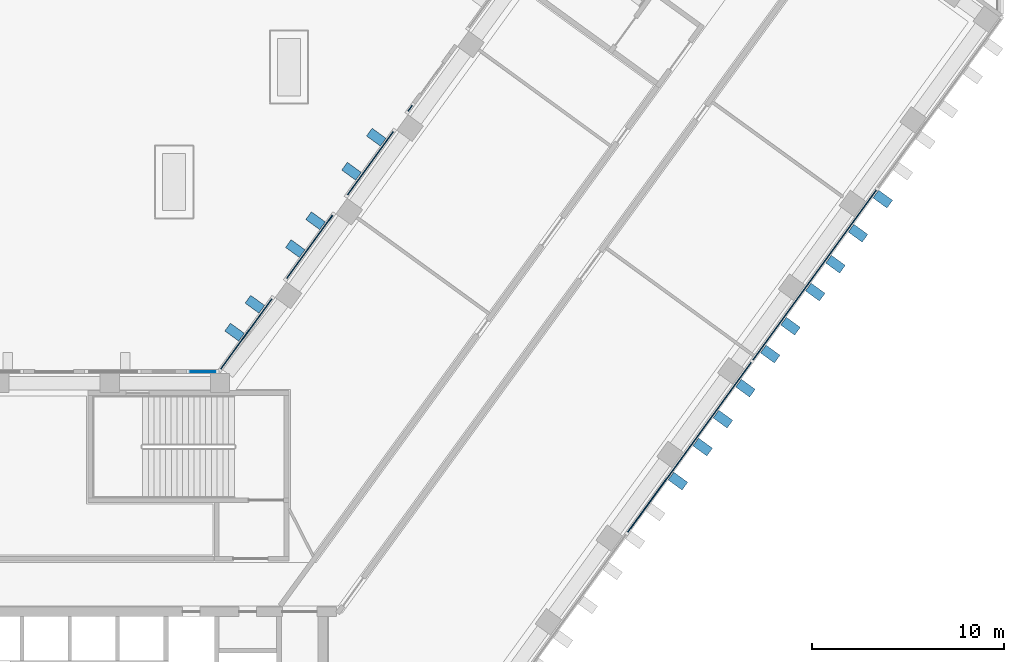
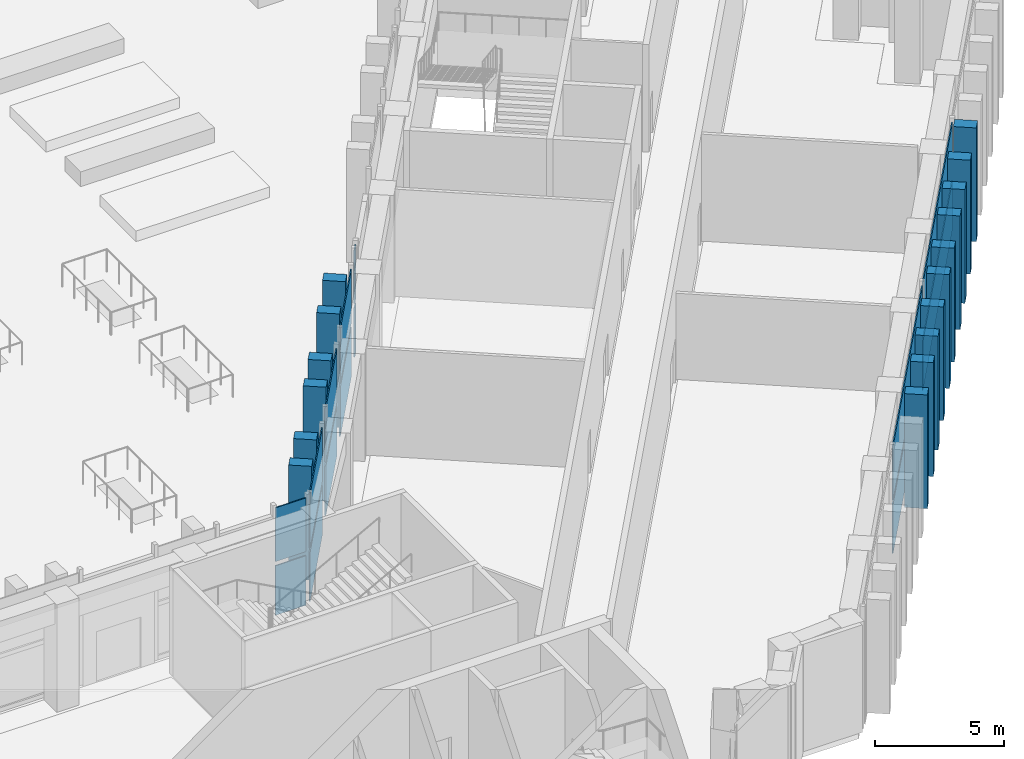
# One storey, part 12 of 25: 30 plates, 6 elements without a shape of their own.
"""IFC4 building model written with IfcOpenShell, lengths in metres."""

from ifc_helpers import new_model, si_unit, direction, frame, origin, origin_2d, place, context, subcontext, project, spatial, rectangle, extrude, material, layer, layer_set, type_object, element, aggregate, save


model = new_model("IFC4")

# Units and contexts
model_context = context("Model", 3, precision=1e-05, world=origin(), true_north=direction((0.0, 1.0)))
body_context = subcontext(model_context, "Body", "Model", "MODEL_VIEW")
ifc_project = project(units=[si_unit("LENGTHUNIT", "METRE"), si_unit("AREAUNIT", "SQUARE_METRE"), si_unit("VOLUMEUNIT", "CUBIC_METRE"), si_unit("PLANEANGLEUNIT", "RADIAN"), si_unit("MASSUNIT", "GRAM", prefix="KILO")], contexts=[model_context])

# Site, building, storey
site_placement = place(None, origin())
site = spatial("IfcSite", under=ifc_project, at=site_placement, CompositionType="ELEMENT")
building_placement = place(site_placement, origin())
building = spatial("IfcBuilding", under=site, at=building_placement, Name="Quipu Civic Tower", CompositionType="ELEMENT")
storey_placement = place(building_placement, frame((0.0, 0.0, 6.0)))
storey = spatial("IfcBuildingStorey", under=building, at=storey_placement, Name="L01", CompositionType="ELEMENT", Elevation=6.0)

# Curtain wall, plates
ifc_material_1 = material(Name="Insulated glass unit", Category="glass")
curtain_wall_type = type_object("IfcCurtainWallType", Name="Council chamber curtain wall CW4", PredefinedType="NOTDEFINED", material=ifc_material_1)
curtain_wall_1_placement = place(storey_placement, origin())
curtain_wall_1 = element("IfcCurtainWall", 1, at=curtain_wall_1_placement, inside=storey, type_object=curtain_wall_type, Name="Council chamber curtain wall CW4 L01 run 34", PredefinedType="NOTDEFINED")
ifc_material_2 = material(Name="Insulated glass unit", Category="glass")
ifc_layer = layer(ifc_material_2, 0.048095703125)
ifc_layer_set = layer_set([ifc_layer], Name="Insulated glass unit")
plate_type_1 = type_object("IfcPlateType", Name="Glass panel CW4", PredefinedType="CURTAIN_PANEL", material=ifc_layer_set)
plate_1_placement = place(storey_placement, frame((38.911376953125, 7.14501953125, 0.300048828125), z_axis=(0.0, 0.0, 1.0), x_axis=(0.587785356329, 0.809016918788, 0.0)))
plate_1 = element("IfcPlate", 2, at=plate_1_placement, type_object=plate_type_1, Name="CW4 panel 2.1", PredefinedType="CURTAIN_PANEL", context=body_context, shape_type="SweptSolid", body=[
    extrude(rectangle(XDim=10.96142578125, YDim=0.048095703125, at=origin_2d()), origin(), (0.0, 0.0, 1.0), 2.35009765625),
])
plate_2_placement = place(storey_placement, frame((38.911376953125, 7.14501953125, 2.85009765625), z_axis=(0.0, 0.0, 1.0), x_axis=(0.587785356329, 0.809016918788, 0.0)))
plate_2 = element("IfcPlate", 3, at=plate_2_placement, type_object=plate_type_1, Name="CW4 panel 2.2", PredefinedType="CURTAIN_PANEL", context=body_context, shape_type="SweptSolid", body=[
    extrude(rectangle(XDim=10.96142578125, YDim=0.048095703125, at=origin_2d()), origin(), (0.0, 0.0, 1.0), 2.550048828125),
])
plate_3_placement = place(storey_placement, frame((45.448486328125, 16.142333984375, 0.300048828125), z_axis=(0.0, 0.0, 1.0), x_axis=(0.587785356329, 0.809016918788, 0.0)))
plate_3 = element("IfcPlate", 4, at=plate_3_placement, type_object=plate_type_1, Name="CW4 panel 3.1", PredefinedType="CURTAIN_PANEL", context=body_context, shape_type="SweptSolid", body=[
    extrude(rectangle(XDim=10.96142578125, YDim=0.048095703125, at=origin_2d()), origin(), (0.0, 0.0, 1.0), 2.35009765625),
])
plate_4_placement = place(storey_placement, frame((45.448486328125, 16.142333984375, 2.85009765625), z_axis=(0.0, 0.0, 1.0), x_axis=(0.587785356329, 0.809016918788, 0.0)))
plate_4 = element("IfcPlate", 5, at=plate_4_placement, type_object=plate_type_1, Name="CW4 panel 3.2", PredefinedType="CURTAIN_PANEL", context=body_context, shape_type="SweptSolid", body=[
    extrude(rectangle(XDim=10.96142578125, YDim=0.048095703125, at=origin_2d()), origin(), (0.0, 0.0, 1.0), 2.550048828125),
])
aggregate(curtain_wall_1, [plate_1, plate_2, plate_3, plate_4])

curtain_wall_2_placement = place(storey_placement, origin())
curtain_wall_2 = element("IfcCurtainWall", 6, at=curtain_wall_2_placement, inside=storey, type_object=curtain_wall_type, Name="Council chamber curtain wall CW4 L01 run 50", PredefinedType="NOTDEFINED")
plate_5_placement = place(storey_placement, frame((24.327880859375, 24.84130859375, 0.300048828125), z_axis=(0.0, 0.0, 1.0), x_axis=(-0.587791263278, -0.809012627105, 0.0)))
plate_5 = element("IfcPlate", 7, at=plate_5_placement, type_object=plate_type_1, Name="CW4 panel 1.1", PredefinedType="CURTAIN_PANEL", context=body_context, shape_type="SweptSolid", body=[
    extrude(rectangle(XDim=0.352294921875, YDim=0.048095703125, at=origin_2d()), origin(), (0.0, 0.0, 1.0), 2.35009765625),
])
plate_6_placement = place(storey_placement, frame((24.327880859375, 24.84130859375, 2.85009765625), z_axis=(0.0, 0.0, 1.0), x_axis=(-0.587791263278, -0.809012627105, 0.0)))
plate_6 = element("IfcPlate", 8, at=plate_6_placement, type_object=plate_type_1, Name="CW4 panel 1.2", PredefinedType="CURTAIN_PANEL", context=body_context, shape_type="SweptSolid", body=[
    extrude(rectangle(XDim=0.352294921875, YDim=0.048095703125, at=origin_2d()), origin(), (0.0, 0.0, 1.0), 2.550048828125),
])
aggregate(curtain_wall_2, [plate_5, plate_6])

curtain_wall_3_placement = place(storey_placement, origin())
curtain_wall_3 = element("IfcCurtainWall", 9, at=curtain_wall_3_placement, inside=storey, type_object=curtain_wall_type, Name="Council chamber curtain wall CW4 L01 run 51", PredefinedType="NOTDEFINED")
plate_7_placement = place(storey_placement, frame((22.24951171875, 21.98046875, 0.300048828125), z_axis=(0.0, 0.0, 1.0), x_axis=(-0.587774328321, -0.809024930992, 0.0)))
plate_7 = element("IfcPlate", 10, at=plate_7_placement, type_object=plate_type_1, Name="CW4 panel 1.1", PredefinedType="CURTAIN_PANEL", context=body_context, shape_type="SweptSolid", body=[
    extrude(rectangle(XDim=4.080078125, YDim=0.048095703125, at=origin_2d()), origin(), (0.0, 0.0, 1.0), 2.35009765625),
])
plate_8_placement = place(storey_placement, frame((22.24951171875, 21.98046875, 2.85009765625), z_axis=(0.0, 0.0, 1.0), x_axis=(-0.587774328321, -0.809024930992, 0.0)))
plate_8 = element("IfcPlate", 11, at=plate_8_placement, type_object=plate_type_1, Name="CW4 panel 1.2", PredefinedType="CURTAIN_PANEL", context=body_context, shape_type="SweptSolid", body=[
    extrude(rectangle(XDim=4.080078125, YDim=0.048095703125, at=origin_2d()), origin(), (0.0, 0.0, 1.0), 2.550048828125),
])
aggregate(curtain_wall_3, [plate_7, plate_8])

curtain_wall_4_placement = place(storey_placement, origin())
curtain_wall_4 = element("IfcCurtainWall", 12, at=curtain_wall_4_placement, inside=storey, type_object=curtain_wall_type, Name="Council chamber curtain wall CW4 L01 run 52", PredefinedType="NOTDEFINED")
plate_9_placement = place(storey_placement, frame((19.075439453125, 17.61181640625, 0.300048828125), z_axis=(0.0, 0.0, 1.0), x_axis=(-0.587800011079, -0.809006271283, 0.0)))
plate_9 = element("IfcPlate", 13, at=plate_9_placement, type_object=plate_type_1, Name="CW4 panel 1.1", PredefinedType="CURTAIN_PANEL", context=body_context, shape_type="SweptSolid", body=[
    extrude(rectangle(XDim=4.080078125, YDim=0.048095703125, at=origin_2d()), origin(), (0.0, 0.0, 1.0), 2.35009765625),
])
plate_10_placement = place(storey_placement, frame((19.075439453125, 17.61181640625, 2.85009765625), z_axis=(0.0, 0.0, 1.0), x_axis=(-0.587800011079, -0.809006271283, 0.0)))
plate_10 = element("IfcPlate", 14, at=plate_10_placement, type_object=plate_type_1, Name="CW4 panel 1.2", PredefinedType="CURTAIN_PANEL", context=body_context, shape_type="SweptSolid", body=[
    extrude(rectangle(XDim=4.080078125, YDim=0.048095703125, at=origin_2d()), origin(), (0.0, 0.0, 1.0), 2.550048828125),
])
aggregate(curtain_wall_4, [plate_9, plate_10])

curtain_wall_5_placement = place(storey_placement, origin())
curtain_wall_5 = element("IfcCurtainWall", 15, at=curtain_wall_5_placement, inside=storey, type_object=curtain_wall_type, Name="Council chamber curtain wall CW4 L01 run 53", PredefinedType="NOTDEFINED")
plate_11_placement = place(storey_placement, frame((15.769287109375, 13.0615234375, 0.300048828125), z_axis=(0.0, 0.0, 1.0), x_axis=(-0.587795194797, -0.809009770629, 0.0)))
plate_11 = element("IfcPlate", 16, at=plate_11_placement, type_object=plate_type_1, Name="CW4 panel 1.1", PredefinedType="CURTAIN_PANEL", context=body_context, shape_type="SweptSolid", body=[
    extrude(rectangle(XDim=4.529052734375, YDim=0.048095703125, at=origin_2d()), origin(), (0.0, 0.0, 1.0), 2.35009765625),
])
plate_12_placement = place(storey_placement, frame((15.769287109375, 13.0615234375, 2.85009765625), z_axis=(0.0, 0.0, 1.0), x_axis=(-0.587795194797, -0.809009770629, 0.0)))
plate_12 = element("IfcPlate", 17, at=plate_12_placement, type_object=plate_type_1, Name="CW4 panel 1.2", PredefinedType="CURTAIN_PANEL", context=body_context, shape_type="SweptSolid", body=[
    extrude(rectangle(XDim=4.529052734375, YDim=0.048095703125, at=origin_2d()), origin(), (0.0, 0.0, 1.0), 2.550048828125),
])
aggregate(curtain_wall_5, [plate_11, plate_12])

curtain_wall_6_placement = place(storey_placement, origin())
curtain_wall_6 = element("IfcCurtainWall", 18, at=curtain_wall_6_placement, inside=storey, type_object=curtain_wall_type, Name="Council chamber curtain wall CW4 L01 run 54", PredefinedType="NOTDEFINED")
plate_13_placement = place(storey_placement, frame((13.49951171875, 11.10009765625, 0.300048828125), z_axis=(0.0, 0.0, 1.0), x_axis=(-1.0, 0.0, 0.0)))
plate_13 = element("IfcPlate", 19, at=plate_13_placement, type_object=plate_type_1, Name="CW4 panel 1.1", PredefinedType="CURTAIN_PANEL", context=body_context, shape_type="SweptSolid", body=[
    extrude(rectangle(XDim=1.369140625, YDim=0.048095703125, at=origin_2d()), origin(), (0.0, 0.0, 1.0), 2.35009765625),
])
plate_14_placement = place(storey_placement, frame((13.49951171875, 11.10009765625, 2.85009765625), z_axis=(0.0, 0.0, 1.0), x_axis=(-1.0, 0.0, 0.0)))
plate_14 = element("IfcPlate", 20, at=plate_14_placement, type_object=plate_type_1, Name="CW4 panel 1.2", PredefinedType="CURTAIN_PANEL", context=body_context, shape_type="SweptSolid", body=[
    extrude(rectangle(XDim=1.369140625, YDim=0.048095703125, at=origin_2d()), origin(), (0.0, 0.0, 1.0), 2.550048828125),
])
aggregate(curtain_wall_6, [plate_13, plate_14])

# Plates
ifc_material_3 = material(Name="Precast concrete C40/50", Category="concrete")
plate_type_2 = type_object("IfcPlateType", Name="Precast fin F0", PredefinedType="SHEET", material=ifc_material_3)
for number, where, z_axis, x_axis, name in (
    (21, (38.308349609375, 5.37939453125, 0.10009765625), (0.0, 0.0, 1.0), (0.587785716149, 0.809016657363, 0.0), "Precast fin F0 L01.34.8"),
    (22, (39.6015625, 7.1591796875, 0.10009765625), (0.0, 0.0, 1.0), (0.587785716149, 0.809016657363, 0.0), "Precast fin F0 L01.34.9"),
    (23, (40.65966796875, 8.615234375, 0.10009765625), (0.0, 0.0, 1.0), (0.587785716149, 0.809016657363, 0.0), "Precast fin F0 L01.34.10"),
    (24, (41.835205078125, 10.2333984375, 0.10009765625), (0.0, 0.0, 1.0), (0.587785716149, 0.809016657363, 0.0), "Precast fin F0 L01.34.11"),
    (25, (43.12841796875, 12.01318359375, 0.10009765625), (0.0, 0.0, 1.0), (0.587785716149, 0.809016657363, 0.0), "Precast fin F0 L01.34.12"),
    (26, (44.186279296875, 13.469482421875, 0.10009765625), (0.0, 0.0, 1.0), (0.587785716149, 0.809016657363, 0.0), "Precast fin F0 L01.34.13"),
    (27, (45.4794921875, 15.249267578125, 0.10009765625), (0.0, 0.0, 1.0), (0.587785716149, 0.809016657363, 0.0), "Precast fin F0 L01.34.14"),
    (28, (46.537353515625, 16.70556640625, 0.10009765625), (0.0, 0.0, 1.0), (0.587785716149, 0.809016657363, 0.0), "Precast fin F0 L01.34.15"),
    (29, (47.713134765625, 18.323486328125, 0.10009765625), (0.0, 0.0, 1.0), (0.587785716149, 0.809016657363, 0.0), "Precast fin F0 L01.34.16"),
    (30, (49.006103515625, 20.103271484375, 0.10009765625), (0.0, 0.0, 1.0), (0.587785716149, 0.809016657363, 0.0), "Precast fin F0 L01.34.17"),
    (31, (22.556396484375, 23.3388671875, 0.10009765625), (0.0, 0.0, 1.0), (-0.587784944053, -0.809017218324, 0.0), "Precast fin F0 L01.51.1"),
    (32, (21.263427734375, 21.55908203125, 0.10009765625), (0.0, 0.0, 1.0), (-0.587784944053, -0.809017218324, 0.0), "Precast fin F0 L01.51.2"),
    (33, (19.386474609375, 18.9755859375, 0.10009765625), (0.0, 0.0, 1.0), (-0.587784944053, -0.809017218324, 0.0), "Precast fin F0 L01.52.1"),
    (34, (18.328369140625, 17.51953125, 0.10009765625), (0.0, 0.0, 1.0), (-0.587784944053, -0.809017218324, 0.0), "Precast fin F0 L01.52.2"),
    (35, (16.21630859375, 14.612548828125, 0.10009765625), (0.0, 0.0, 1.0), (-0.587784944053, -0.809017218324, 0.0), "Precast fin F0 L01.53.1"),
    (36, (15.158447265625, 13.15625, 0.10009765625), (0.0, 0.0, 1.0), (-0.587784944053, -0.809017218324, 0.0), "Precast fin F0 L01.53.2"),
):
    element("IfcPlate", number, at=place(storey_placement, frame(where, z_axis=z_axis, x_axis=x_axis)), inside=storey, type_object=plate_type_2, Name=name, PredefinedType="SHEET", context=body_context, shape_type="SweptSolid", body=[
        extrude(rectangle(XDim=0.5, YDim=0.89990234375, at=origin_2d()), origin(), (0.0, 0.0, 1.0), 5.39990234375),
    ])

save(model, "model.ifc")
